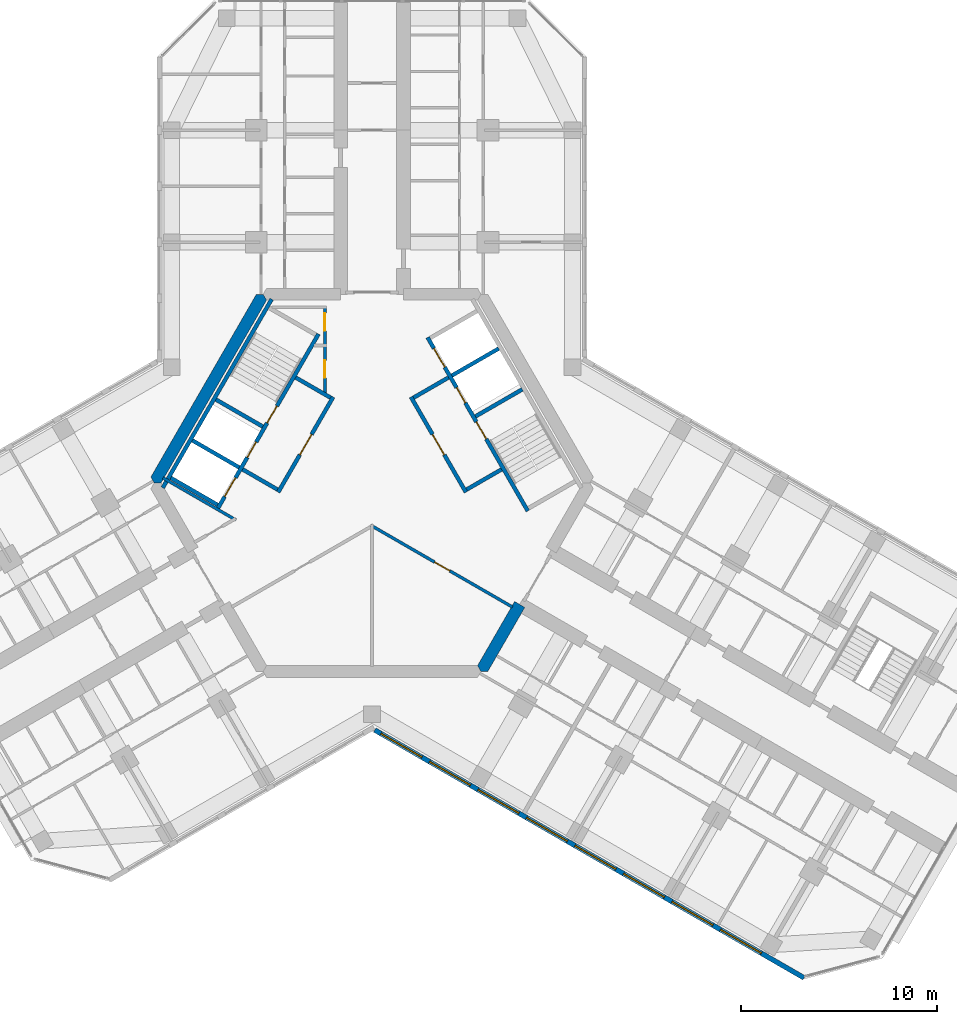
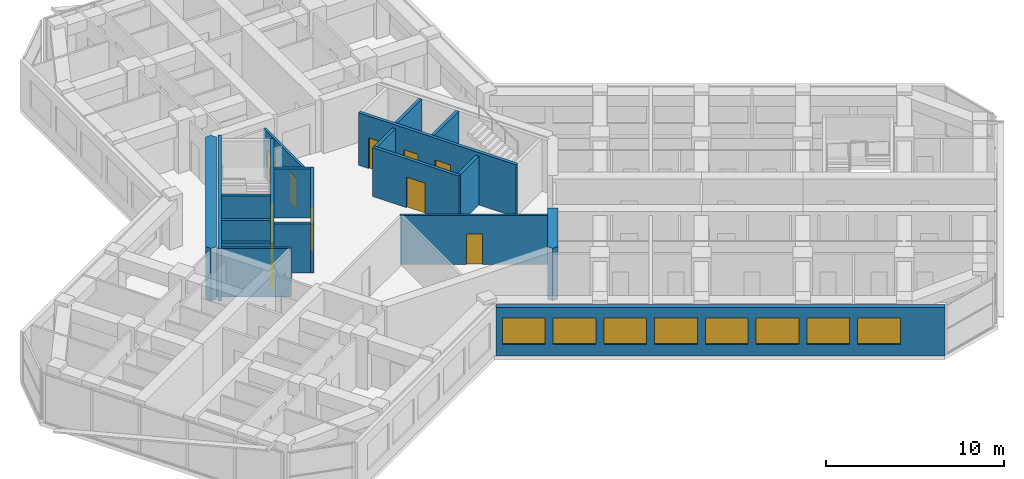
# One storey, part 10 of 16: 20 walls, 11 doors, 8 windows, 19 openings.
"""IFC4 building model written with IfcOpenShell, lengths in metres."""

from ifc_helpers import new_model, si_unit, direction, frame, frame_2d, origin, place, context, subcontext, project, spatial, polyline, rectangle, outline, extrude, material, layer, layer_set, type_object, element, fill, save


model = new_model("IFC4")

# Units and contexts
model_context = context("Model", 3, precision=1e-05, world=origin(), true_north=direction((0.0, 1.0)))
body_context = subcontext(model_context, "Body", "Model", "MODEL_VIEW")
ifc_project = project(units=[si_unit("LENGTHUNIT", "METRE"), si_unit("AREAUNIT", "SQUARE_METRE"), si_unit("VOLUMEUNIT", "CUBIC_METRE"), si_unit("PLANEANGLEUNIT", "RADIAN"), si_unit("MASSUNIT", "GRAM", prefix="KILO")], contexts=[model_context])

# Site, building, storey
site_placement = place(None, origin())
site = spatial("IfcSite", under=ifc_project, at=site_placement, CompositionType="ELEMENT")
building_placement = place(site_placement, origin())
building = spatial("IfcBuilding", under=site, at=building_placement, Name="Kosmar Iwan School Tower", CompositionType="ELEMENT")
storey_placement = place(building_placement, frame((0.0, 0.0, 246.0)))
storey = spatial("IfcBuildingStorey", under=building, at=storey_placement, Name="L62", CompositionType="ELEMENT", Elevation=246.0)

# Wall, openings, doors
ifc_material_1 = material(Name="Gypsum board on steel studs, fire-rated", Category="steel")
ifc_layer_1 = layer(ifc_material_1, 0.14990234375)
ifc_layer_set_1 = layer_set([ifc_layer_1], Name="Core room partition 150")
wall_type_1 = type_object("IfcWallType", Name="Core room partition 150", PredefinedType="PARTITIONING", material=ifc_layer_set_1)
wall_1_placement = place(storey_placement, frame((-2.39990234375, 9.014892578125, 0.0), z_axis=(0.0, 0.0, 1.0), x_axis=(0.0, -1.0, 0.0)))
wall_1 = element("IfcWall", 1, at=wall_1_placement, inside=storey, type_object=wall_type_1, Name="Core room partition L62-CW1", PredefinedType="PARTITIONING", context=body_context, shape_type="SweptSolid", body=[
    extrude(rectangle(XDim=4.484130859375, YDim=0.14990234375, at=frame_2d((2.2421875, 0.0))), origin(), (0.0, 0.0, 1.0), 3.35009765625),
])
opening_1_placement = place(wall_1_placement, frame((0.375, 0.0, 0.0)))
opening_1 = element("IfcOpeningElement", 2, at=opening_1_placement, cuts=wall_1, Name="Opening D14", PredefinedType="OPENING", context=body_context, shape_type="SweptSolid", body=[
    extrude(rectangle(XDim=0.89990234375, YDim=2.10009765625, at=frame_2d((0.449951171875, 1.050048828125))), frame((0.0, 0.0869140625, 0.0), z_axis=(0.0, -1.0, 0.0), x_axis=(1.0, 0.0, 0.0)), (0.0, 0.0, 1.0), 0.173828125),
])
opening_2_placement = place(wall_1_placement, frame((2.77490234375, 0.0, 0.0)))
opening_2 = element("IfcOpeningElement", 3, at=opening_2_placement, cuts=wall_1, Name="Opening D14", PredefinedType="OPENING", context=body_context, shape_type="SweptSolid", body=[
    extrude(rectangle(XDim=0.89990234375, YDim=2.10009765625, at=frame_2d((0.449951171875, 1.050048828125))), frame((0.0, 0.0869140625, 0.0), z_axis=(0.0, -1.0, 0.0), x_axis=(1.0, 0.0, 0.0)), (0.0, 0.0, 1.0), 0.173828125),
])
ifc_material_2 = material(Name="Timber fire door in steel frame", Category="steel")
door_type_1 = type_object("IfcDoorType", Name="Core room door 900x2100", OperationType="SINGLE_SWING_LEFT", PredefinedType="DOOR", material=ifc_material_2)
door_1_placement = place(opening_1_placement, origin())
door_1 = element("IfcDoor", 4, at=door_1_placement, inside=storey, type_object=door_type_1, Name="Electrical riser and switch room door L62 1", OperationType="SINGLE_SWING_LEFT", OverallHeight=2.10009765625, OverallWidth=0.89990234375, PredefinedType="DOOR", context=body_context, shape_type="SweptSolid", body=[
    extrude(rectangle(XDim=0.89990234375, YDim=2.10009765625, at=frame_2d((0.449951171875, 1.050048828125))), frame((0.0, 0.02490234375, 0.0), z_axis=(0.0, -1.0, 0.0), x_axis=(1.0, 0.0, 0.0)), (0.0, 0.0, 1.0), 0.050048828125),
])
fill(opening_1, door_1)
door_2_placement = place(opening_2_placement, origin())
door_2 = element("IfcDoor", 5, at=door_2_placement, inside=storey, type_object=door_type_1, Name="Plumbing and wet riser door L62 2", OperationType="SINGLE_SWING_RIGHT", OverallHeight=2.10009765625, OverallWidth=0.89990234375, PredefinedType="DOOR", context=body_context, shape_type="SweptSolid", body=[
    extrude(rectangle(XDim=0.89990234375, YDim=2.10009765625, at=frame_2d((0.449951171875, 1.050048828125))), frame((0.0, 0.02490234375, 0.0), z_axis=(0.0, -1.0, 0.0), x_axis=(1.0, 0.0, 0.0)), (0.0, 0.0, 1.0), 0.050048828125),
])
fill(opening_2, door_2)

# Wall, opening, door
wall_2_placement = place(storey_placement, frame((-0.06494140625, -2.156494140625, 0.0), z_axis=(0.0, 0.0, 1.0), x_axis=(0.866034159509, -0.499984834333, 0.0)))
wall_2 = element("IfcWall", 6, at=wall_2_placement, inside=storey, type_object=wall_type_1, Name="Core room partition L62-CW6", PredefinedType="PARTITIONING", context=body_context, shape_type="SweptSolid", body=[
    extrude(rectangle(XDim=8.322998046875, YDim=0.14990234375, at=frame_2d((4.16162109375, 0.0))), origin(), (0.0, 0.0, 1.0), 3.35009765625),
])
opening_3_placement = place(wall_2_placement, frame((3.7470703125, 0.0, 0.0)))
opening_3 = element("IfcOpeningElement", 7, at=opening_3_placement, cuts=wall_2, Name="Opening D14", PredefinedType="OPENING", context=body_context, shape_type="SweptSolid", body=[
    extrude(rectangle(XDim=0.89990234375, YDim=2.10009765625, at=frame_2d((0.449951171875, 1.050048828125))), frame((0.0, 0.0869140625, 0.0), z_axis=(0.0, -1.0, 0.0), x_axis=(1.0, 0.0, 0.0)), (0.0, 0.0, 1.0), 0.173828125),
])
door_3_placement = place(opening_3_placement, origin())
door_3 = element("IfcDoor", 8, at=door_3_placement, inside=storey, type_object=door_type_1, Name="Refuse and recycling room door L62 3", OperationType="SINGLE_SWING_RIGHT", OverallHeight=2.10009765625, OverallWidth=0.89990234375, PredefinedType="DOOR", context=body_context, shape_type="SweptSolid", body=[
    extrude(rectangle(XDim=0.89990234375, YDim=2.10009765625, at=frame_2d((0.449951171875, 1.050048828125))), frame((0.0, 0.02490234375, 0.0), z_axis=(0.0, -1.0, 0.0), x_axis=(1.0, 0.0, 0.0)), (0.0, 0.0, 1.0), 0.050048828125),
])
fill(opening_3, door_3)

# Walls
wall_3_placement = place(storey_placement, frame((-10.64306640625, 0.255859375, 0.0), z_axis=(0.0, 0.0, 1.0), x_axis=(0.866020364144, -0.500008728811, 0.0)))
element("IfcWall", 9, at=wall_3_placement, inside=storey, type_object=wall_type_1, Name="Core room partition L62-CW8", PredefinedType="PARTITIONING", context=body_context, shape_type="SweptSolid", body=[
    extrude(rectangle(XDim=4.28173828125, YDim=0.14990234375, at=frame_2d((2.140869140625, 0.0))), origin(), (0.0, 0.0, 1.0), 3.35009765625),
])
ifc_material_3 = material(Name="Concrete C50/60", Category="concrete")
ifc_layer_2 = layer(ifc_material_3, 0.60009765625)
ifc_layer_set_2 = layer_set([ifc_layer_2], Name="Core wall 600")
wall_type_2 = type_object("IfcWallType", Name="Core wall 600", PredefinedType="SHEAR", material=ifc_layer_set_2)
wall_4_placement = place(storey_placement, origin())
element("IfcWall", 10, at=wall_4_placement, inside=storey, type_object=wall_type_2, Name="Core wall F150", PredefinedType="SHEAR", context=body_context, shape_type="SweptSolid", body=[
    extrude(outline(polyline([(-11.085205078125, 0.0), (-10.73876953125, 0.0), (-5.369384765625, 9.300048828125), (-5.54248046875, 9.60009765625), (-5.888916015625, 9.60009765625), (-11.25830078125, 0.300048828125), (-11.085205078125, 0.0)])), origin(), (0.0, 0.0, 1.0), 3.60009765625),
])
wall_5_placement = place(storey_placement, origin())
element("IfcWall", 11, at=wall_5_placement, inside=storey, type_object=wall_type_2, Name="Core wall F330a", PredefinedType="SHEAR", context=body_context, shape_type="SweptSolid", body=[
    extrude(outline(polyline([(5.54248046875, -9.60009765625), (5.888916015625, -9.60009765625), (7.773681640625, -6.335693359375), (7.254150390625, -6.03564453125), (5.369384765625, -9.300048828125), (5.54248046875, -9.60009765625)])), origin(), (0.0, 0.0, 1.0), 3.60009765625),
])

# Wall, openings, windows
ifc_material_4 = material(Name="Black aluminium rainscreen on insulated framing", Category="aluminium")
ifc_layer_3 = layer(ifc_material_4, 0.25)
ifc_layer_set_3 = layer_set([ifc_layer_3], Name="External wall rainscreen 250")
wall_type_3 = type_object("IfcWallType", Name="External wall rainscreen 250", PredefinedType="SOLIDWALL", material=ifc_layer_set_3)
wall_6_placement = place(storey_placement, frame((0.137939453125, -12.5791015625, 0.0), z_axis=(0.0, 0.0, 1.0), x_axis=(0.866023775649, -0.500002820003, 0.0)))
wall_6 = element("IfcWall", 12, at=wall_6_placement, inside=storey, type_object=wall_type_3, Name="External wall CR L62", PredefinedType="SOLIDWALL", context=body_context, shape_type="SweptSolid", body=[
    extrude(rectangle(XDim=25.226318359375, YDim=0.25, at=frame_2d((12.61328125, 0.0))), origin(), (0.0, 0.0, 1.0), 3.35009765625),
])
opening_4_placement = place(wall_6_placement, frame((0.365966796875, 0.0, 0.800048828125)))
opening_4 = element("IfcOpeningElement", 13, at=opening_4_placement, cuts=wall_6, Name="Opening W5", PredefinedType="OPENING", context=body_context, shape_type="SweptSolid", body=[
    extrude(rectangle(XDim=2.39990234375, YDim=1.800048828125, at=frame_2d((1.199951171875, 0.89990234375))), frame((0.0, 0.136962890625, 0.0), z_axis=(0.0, -1.0, 0.0), x_axis=(1.0, 0.0, 0.0)), (0.0, 0.0, 1.0), 0.27392578125),
])
opening_5_placement = place(wall_6_placement, frame((3.216064453125, 0.0, 0.800048828125)))
opening_5 = element("IfcOpeningElement", 14, at=opening_5_placement, cuts=wall_6, Name="Opening W5", PredefinedType="OPENING", context=body_context, shape_type="SweptSolid", body=[
    extrude(rectangle(XDim=2.39990234375, YDim=1.800048828125, at=frame_2d((1.199951171875, 0.89990234375))), frame((0.0, 0.136962890625, 0.0), z_axis=(0.0, -1.0, 0.0), x_axis=(1.0, 0.0, 0.0)), (0.0, 0.0, 1.0), 0.27392578125),
])
opening_6_placement = place(wall_6_placement, frame((6.06591796875, 0.0, 0.800048828125)))
opening_6 = element("IfcOpeningElement", 15, at=opening_6_placement, cuts=wall_6, Name="Opening W5", PredefinedType="OPENING", context=body_context, shape_type="SweptSolid", body=[
    extrude(rectangle(XDim=2.39990234375, YDim=1.800048828125, at=frame_2d((1.199951171875, 0.89990234375))), frame((0.0, 0.136962890625, 0.0), z_axis=(0.0, -1.0, 0.0), x_axis=(1.0, 0.0, 0.0)), (0.0, 0.0, 1.0), 0.27392578125),
])
opening_7_placement = place(wall_6_placement, frame((8.916015625, 0.0, 0.800048828125)))
opening_7 = element("IfcOpeningElement", 16, at=opening_7_placement, cuts=wall_6, Name="Opening W5", PredefinedType="OPENING", context=body_context, shape_type="SweptSolid", body=[
    extrude(rectangle(XDim=2.39990234375, YDim=1.800048828125, at=frame_2d((1.199951171875, 0.89990234375))), frame((0.0, 0.136962890625, 0.0), z_axis=(0.0, -1.0, 0.0), x_axis=(1.0, 0.0, 0.0)), (0.0, 0.0, 1.0), 0.27392578125),
])
opening_8_placement = place(wall_6_placement, frame((11.76611328125, 0.0, 0.800048828125)))
opening_8 = element("IfcOpeningElement", 17, at=opening_8_placement, cuts=wall_6, Name="Opening W5", PredefinedType="OPENING", context=body_context, shape_type="SweptSolid", body=[
    extrude(rectangle(XDim=2.39990234375, YDim=1.800048828125, at=frame_2d((1.199951171875, 0.89990234375))), frame((0.0, 0.136962890625, 0.0), z_axis=(0.0, -1.0, 0.0), x_axis=(1.0, 0.0, 0.0)), (0.0, 0.0, 1.0), 0.27392578125),
])
opening_9_placement = place(wall_6_placement, frame((14.615966796875, 0.0, 0.800048828125)))
opening_9 = element("IfcOpeningElement", 18, at=opening_9_placement, cuts=wall_6, Name="Opening W5", PredefinedType="OPENING", context=body_context, shape_type="SweptSolid", body=[
    extrude(rectangle(XDim=2.39990234375, YDim=1.800048828125, at=frame_2d((1.199951171875, 0.89990234375))), frame((0.0, 0.136962890625, 0.0), z_axis=(0.0, -1.0, 0.0), x_axis=(1.0, 0.0, 0.0)), (0.0, 0.0, 1.0), 0.27392578125),
])
opening_10_placement = place(wall_6_placement, frame((17.466064453125, 0.0, 0.800048828125)))
opening_10 = element("IfcOpeningElement", 19, at=opening_10_placement, cuts=wall_6, Name="Opening W5", PredefinedType="OPENING", context=body_context, shape_type="SweptSolid", body=[
    extrude(rectangle(XDim=2.39990234375, YDim=1.800048828125, at=frame_2d((1.199951171875, 0.89990234375))), frame((0.0, 0.136962890625, 0.0), z_axis=(0.0, -1.0, 0.0), x_axis=(1.0, 0.0, 0.0)), (0.0, 0.0, 1.0), 0.27392578125),
])
opening_11_placement = place(wall_6_placement, frame((20.31591796875, 0.0, 0.800048828125)))
opening_11 = element("IfcOpeningElement", 20, at=opening_11_placement, cuts=wall_6, Name="Opening W5", PredefinedType="OPENING", context=body_context, shape_type="SweptSolid", body=[
    extrude(rectangle(XDim=2.39990234375, YDim=1.800048828125, at=frame_2d((1.199951171875, 0.89990234375))), frame((0.0, 0.136962890625, 0.0), z_axis=(0.0, -1.0, 0.0), x_axis=(1.0, 0.0, 0.0)), (0.0, 0.0, 1.0), 0.27392578125),
])
ifc_material_5 = material(Name="Black aluminium frame with dark triple glazing", Category="aluminium")
window_type = type_object("IfcWindowType", Name="Window 2400x1800", PartitioningType="SINGLE_PANEL", PredefinedType="WINDOW", material=ifc_material_5)
window_1_placement = place(opening_4_placement, origin())
window_1 = element("IfcWindow", 21, at=window_1_placement, inside=storey, type_object=window_type, Name="Window CR L62 -1", OverallHeight=1.800048828125, OverallWidth=2.39990234375, PartitioningType="SINGLE_PANEL", PredefinedType="WINDOW", context=body_context, shape_type="SweptSolid", body=[
    extrude(rectangle(XDim=2.39990234375, YDim=1.800048828125, at=frame_2d((1.199951171875, 0.89990234375))), frame((0.0, 0.030029296875, 0.0), z_axis=(0.0, -1.0, 0.0), x_axis=(1.0, 0.0, 0.0)), (0.0, 0.0, 1.0), 0.06005859375),
])
fill(opening_4, window_1)
window_2_placement = place(opening_5_placement, origin())
window_2 = element("IfcWindow", 22, at=window_2_placement, inside=storey, type_object=window_type, Name="Window CR L62 0", OverallHeight=1.800048828125, OverallWidth=2.39990234375, PartitioningType="SINGLE_PANEL", PredefinedType="WINDOW", context=body_context, shape_type="SweptSolid", body=[
    extrude(rectangle(XDim=2.39990234375, YDim=1.800048828125, at=frame_2d((1.199951171875, 0.89990234375))), frame((0.0, 0.030029296875, 0.0), z_axis=(0.0, -1.0, 0.0), x_axis=(1.0, 0.0, 0.0)), (0.0, 0.0, 1.0), 0.06005859375),
])
fill(opening_5, window_2)
window_3_placement = place(opening_6_placement, origin())
window_3 = element("IfcWindow", 23, at=window_3_placement, inside=storey, type_object=window_type, Name="Window CR L62 1", OverallHeight=1.800048828125, OverallWidth=2.39990234375, PartitioningType="SINGLE_PANEL", PredefinedType="WINDOW", context=body_context, shape_type="SweptSolid", body=[
    extrude(rectangle(XDim=2.39990234375, YDim=1.800048828125, at=frame_2d((1.199951171875, 0.89990234375))), frame((0.0, 0.030029296875, 0.0), z_axis=(0.0, -1.0, 0.0), x_axis=(1.0, 0.0, 0.0)), (0.0, 0.0, 1.0), 0.06005859375),
])
fill(opening_6, window_3)
window_4_placement = place(opening_7_placement, origin())
window_4 = element("IfcWindow", 24, at=window_4_placement, inside=storey, type_object=window_type, Name="Window CR L62 2", OverallHeight=1.800048828125, OverallWidth=2.39990234375, PartitioningType="SINGLE_PANEL", PredefinedType="WINDOW", context=body_context, shape_type="SweptSolid", body=[
    extrude(rectangle(XDim=2.39990234375, YDim=1.800048828125, at=frame_2d((1.199951171875, 0.89990234375))), frame((0.0, 0.030029296875, 0.0), z_axis=(0.0, -1.0, 0.0), x_axis=(1.0, 0.0, 0.0)), (0.0, 0.0, 1.0), 0.06005859375),
])
fill(opening_7, window_4)
window_5_placement = place(opening_8_placement, origin())
window_5 = element("IfcWindow", 25, at=window_5_placement, inside=storey, type_object=window_type, Name="Window CR L62 3", OverallHeight=1.800048828125, OverallWidth=2.39990234375, PartitioningType="SINGLE_PANEL", PredefinedType="WINDOW", context=body_context, shape_type="SweptSolid", body=[
    extrude(rectangle(XDim=2.39990234375, YDim=1.800048828125, at=frame_2d((1.199951171875, 0.89990234375))), frame((0.0, 0.030029296875, 0.0), z_axis=(0.0, -1.0, 0.0), x_axis=(1.0, 0.0, 0.0)), (0.0, 0.0, 1.0), 0.06005859375),
])
fill(opening_8, window_5)
window_6_placement = place(opening_9_placement, origin())
window_6 = element("IfcWindow", 26, at=window_6_placement, inside=storey, type_object=window_type, Name="Window CR L62 4", OverallHeight=1.800048828125, OverallWidth=2.39990234375, PartitioningType="SINGLE_PANEL", PredefinedType="WINDOW", context=body_context, shape_type="SweptSolid", body=[
    extrude(rectangle(XDim=2.39990234375, YDim=1.800048828125, at=frame_2d((1.199951171875, 0.89990234375))), frame((0.0, 0.030029296875, 0.0), z_axis=(0.0, -1.0, 0.0), x_axis=(1.0, 0.0, 0.0)), (0.0, 0.0, 1.0), 0.06005859375),
])
fill(opening_9, window_6)
window_7_placement = place(opening_10_placement, origin())
window_7 = element("IfcWindow", 27, at=window_7_placement, inside=storey, type_object=window_type, Name="Window CR L62 5", OverallHeight=1.800048828125, OverallWidth=2.39990234375, PartitioningType="SINGLE_PANEL", PredefinedType="WINDOW", context=body_context, shape_type="SweptSolid", body=[
    extrude(rectangle(XDim=2.39990234375, YDim=1.800048828125, at=frame_2d((1.199951171875, 0.89990234375))), frame((0.0, 0.030029296875, 0.0), z_axis=(0.0, -1.0, 0.0), x_axis=(1.0, 0.0, 0.0)), (0.0, 0.0, 1.0), 0.06005859375),
])
fill(opening_10, window_7)
window_8_placement = place(opening_11_placement, origin())
window_8 = element("IfcWindow", 28, at=window_8_placement, inside=storey, type_object=window_type, Name="Window CR L62 6", OverallHeight=1.800048828125, OverallWidth=2.39990234375, PartitioningType="SINGLE_PANEL", PredefinedType="WINDOW", context=body_context, shape_type="SweptSolid", body=[
    extrude(rectangle(XDim=2.39990234375, YDim=1.800048828125, at=frame_2d((1.199951171875, 0.89990234375))), frame((0.0, 0.030029296875, 0.0), z_axis=(0.0, -1.0, 0.0), x_axis=(1.0, 0.0, 0.0)), (0.0, 0.0, 1.0), 0.06005859375),
])
fill(opening_11, window_8)

# Wall, opening, door
ifc_material_6 = material(Name="Concrete block masonry", Category="masonry")
ifc_layer_4 = layer(ifc_material_6, 0.199951171875)
ifc_layer_set_4 = layer_set([ifc_layer_4], Name="Fire lobby wall 200")
wall_type_4 = type_object("IfcWallType", Name="Fire lobby wall 200", PredefinedType="PARTITIONING", material=ifc_layer_set_4)
wall_7_placement = place(storey_placement, frame((-1.9775390625, 4.374755859375, 0.0), z_axis=(0.0, 0.0, 1.0), x_axis=(-0.500016814911, -0.866015695474, 0.0)))
wall_7 = element("IfcWall", 29, at=wall_7_placement, inside=storey, type_object=wall_type_4, Name="Firefighting lobby wall ST2", PredefinedType="PARTITIONING", context=body_context, shape_type="SweptSolid", body=[
    extrude(rectangle(XDim=5.599853515625, YDim=0.199951171875, at=frame_2d((2.7998046875, 0.0))), origin(), (0.0, 0.0, 1.0), 3.35009765625),
])
opening_12_placement = place(wall_7_placement, frame((2.199951171875, 0.0, 0.0)))
opening_12 = element("IfcOpeningElement", 30, at=opening_12_placement, cuts=wall_7, Name="Opening D7", PredefinedType="OPENING", context=body_context, shape_type="SweptSolid", body=[
    extrude(rectangle(XDim=1.199951171875, YDim=2.10009765625, at=frame_2d((0.60009765625, 1.050048828125))), frame((0.0, 0.112060546875, 0.0), z_axis=(0.0, -1.0, 0.0), x_axis=(1.0, 0.0, 0.0)), (0.0, 0.0, 1.0), 0.223876953125),
])
ifc_material_7 = material(Name="Steel fire door", Category="steel")
door_type_2 = type_object("IfcDoorType", Name="Fire lobby door 1200x2100", OperationType="SINGLE_SWING_LEFT", PredefinedType="DOOR", material=ifc_material_7)
door_4_placement = place(opening_12_placement, origin())
door_4 = element("IfcDoor", 31, at=door_4_placement, inside=storey, type_object=door_type_2, Name="Firefighting lobby door ST2 L62", OperationType="SINGLE_SWING_RIGHT", OverallHeight=2.10009765625, OverallWidth=1.199951171875, PredefinedType="DOOR", context=body_context, shape_type="SweptSolid", body=[
    extrude(rectangle(XDim=1.199951171875, YDim=2.10009765625, at=frame_2d((0.60009765625, 1.050048828125))), frame((0.0, 0.02490234375, 0.0), z_axis=(0.0, -1.0, 0.0), x_axis=(1.0, 0.0, 0.0)), (0.0, 0.0, 1.0), 0.050048828125),
])
fill(opening_12, door_4)

# Walls
wall_8_placement = place(storey_placement, frame((-2.114013671875, 4.33837890625, 0.0), z_axis=(0.0, 0.0, 1.0), x_axis=(-0.866050731258, 0.499956128963, 0.0)))
element("IfcWall", 32, at=wall_8_placement, inside=storey, type_object=wall_type_4, Name="Firefighting lobby wall ST2", PredefinedType="PARTITIONING", context=body_context, shape_type="SweptSolid", body=[
    extrude(rectangle(XDim=2.050048828125, YDim=0.199951171875, at=frame_2d((1.02490234375, 0.0))), origin(), (0.0, 0.0, 1.0), 3.35009765625),
])
wall_9_placement = place(storey_placement, frame((-4.814208984375, -0.33837890625, 0.0), z_axis=(0.0, 0.0, 1.0), x_axis=(-0.865969381856, 0.500097020274, 0.0)))
element("IfcWall", 33, at=wall_9_placement, inside=storey, type_object=wall_type_4, Name="Firefighting lobby wall ST2", PredefinedType="PARTITIONING", context=body_context, shape_type="SweptSolid", body=[
    extrude(rectangle(XDim=2.0498046875, YDim=0.199951171875, at=frame_2d((1.02490234375, 0.0))), origin(), (0.0, 0.0, 1.0), 3.35009765625),
])

# Wall, opening, door
wall_10_placement = place(storey_placement, frame((4.777587890625, -0.474853515625, 0.0), z_axis=(0.0, 0.0, 1.0), x_axis=(-0.500016814911, 0.866015695474, 0.0)))
wall_10 = element("IfcWall", 34, at=wall_10_placement, inside=storey, type_object=wall_type_4, Name="Firefighting lobby wall ST1", PredefinedType="PARTITIONING", context=body_context, shape_type="SweptSolid", body=[
    extrude(rectangle(XDim=5.599853515625, YDim=0.199951171875, at=frame_2d((2.7998046875, 0.0))), origin(), (0.0, 0.0, 1.0), 3.35009765625),
])
opening_13_placement = place(wall_10_placement, frame((2.199951171875, 0.0, 0.0)))
opening_13 = element("IfcOpeningElement", 35, at=opening_13_placement, cuts=wall_10, Name="Opening D7", PredefinedType="OPENING", context=body_context, shape_type="SweptSolid", body=[
    extrude(rectangle(XDim=1.199951171875, YDim=2.10009765625, at=frame_2d((0.60009765625, 1.050048828125))), frame((0.0, 0.112060546875, 0.0), z_axis=(0.0, -1.0, 0.0), x_axis=(1.0, 0.0, 0.0)), (0.0, 0.0, 1.0), 0.223876953125),
])
door_5_placement = place(opening_13_placement, origin())
door_5 = element("IfcDoor", 36, at=door_5_placement, inside=storey, type_object=door_type_2, Name="Firefighting lobby door ST1 L62", OperationType="SINGLE_SWING_RIGHT", OverallHeight=2.10009765625, OverallWidth=1.199951171875, PredefinedType="DOOR", context=body_context, shape_type="SweptSolid", body=[
    extrude(rectangle(XDim=1.199951171875, YDim=2.10009765625, at=frame_2d((0.60009765625, 1.050048828125))), frame((0.0, 0.02490234375, 0.0), z_axis=(0.0, -1.0, 0.0), x_axis=(1.0, 0.0, 0.0)), (0.0, 0.0, 1.0), 0.050048828125),
])
fill(opening_13, door_5)

# Walls
wall_11_placement = place(storey_placement, frame((4.814208984375, -0.33837890625, 0.0), z_axis=(0.0, 0.0, 1.0), x_axis=(0.865969381856, 0.500097020274, 0.0)))
element("IfcWall", 37, at=wall_11_placement, inside=storey, type_object=wall_type_4, Name="Firefighting lobby wall ST1", PredefinedType="PARTITIONING", context=body_context, shape_type="SweptSolid", body=[
    extrude(rectangle(XDim=2.0498046875, YDim=0.199951171875, at=frame_2d((1.02490234375, 0.0))), origin(), (0.0, 0.0, 1.0), 3.35009765625),
])
wall_12_placement = place(storey_placement, frame((2.114013671875, 4.33837890625, 0.0), z_axis=(0.0, 0.0, 1.0), x_axis=(0.866050731258, 0.499956128963, 0.0)))
element("IfcWall", 38, at=wall_12_placement, inside=storey, type_object=wall_type_4, Name="Firefighting lobby wall ST1", PredefinedType="PARTITIONING", context=body_context, shape_type="SweptSolid", body=[
    extrude(rectangle(XDim=2.050048828125, YDim=0.199951171875, at=frame_2d((1.02490234375, 0.0))), origin(), (0.0, 0.0, 1.0), 3.35009765625),
])

# Wall, openings, doors
ifc_material_8 = material(Name="Concrete C50/60", Category="concrete")
ifc_layer_5 = layer(ifc_material_8, 0.199951171875)
ifc_layer_set_5 = layer_set([ifc_layer_5], Name="Lift shaft wall 200")
wall_type_5 = type_object("IfcWallType", Name="Lift shaft wall 200", PredefinedType="SHEAR", material=ifc_layer_set_5)
wall_13_placement = place(storey_placement, frame((-2.72607421875, 7.578369140625, 0.0), z_axis=(0.0, 0.0, 1.0), x_axis=(-0.499998717582, -0.866026144187, 0.0)))
wall_13 = element("IfcWall", 39, at=wall_13_placement, inside=storey, type_object=wall_type_5, Name="Lift and stair front wall AB", PredefinedType="SHEAR", context=body_context, shape_type="SweptSolid", body=[
    extrude(rectangle(XDim=10.22509765625, YDim=0.199951171875, at=frame_2d((5.112548828125, 0.0))), origin(), (0.0, 0.0, 1.0), 3.60009765625),
])
opening_14_placement = place(wall_13_placement, frame((6.35009765625, 0.0, 0.0)))
opening_14 = element("IfcOpeningElement", 40, at=opening_14_placement, cuts=wall_13, Name="Opening LD2", PredefinedType="OPENING", context=body_context, shape_type="SweptSolid", body=[
    extrude(rectangle(XDim=0.89990234375, YDim=2.10009765625, at=frame_2d((0.449951171875, 1.050048828125))), frame((0.0, 0.112060546875, 0.0), z_axis=(0.0, -1.0, 0.0), x_axis=(1.0, 0.0, 0.0)), (0.0, 0.0, 1.0), 0.223876953125),
])
opening_15_placement = place(wall_13_placement, frame((8.449951171875, 0.0, 0.0)))
opening_15 = element("IfcOpeningElement", 41, at=opening_15_placement, cuts=wall_13, Name="Opening LD1", PredefinedType="OPENING", context=body_context, shape_type="SweptSolid", body=[
    extrude(rectangle(XDim=1.10009765625, YDim=2.10009765625, at=frame_2d((0.550048828125, 1.050048828125))), frame((0.0, 0.112060546875, 0.0), z_axis=(0.0, -1.0, 0.0), x_axis=(1.0, 0.0, 0.0)), (0.0, 0.0, 1.0), 0.223876953125),
])
opening_16_placement = place(wall_13_placement, frame((4.22998046875, 0.0, 0.0)))
opening_16 = element("IfcOpeningElement", 42, at=opening_16_placement, cuts=wall_13, Name="Opening D6", PredefinedType="OPENING", context=body_context, shape_type="SweptSolid", body=[
    extrude(rectangle(XDim=1.0, YDim=2.10009765625, at=frame_2d((0.5, 1.050048828125))), frame((0.0, 0.112060546875, 0.0), z_axis=(0.0, -1.0, 0.0), x_axis=(1.0, 0.0, 0.0)), (0.0, 0.0, 1.0), 0.223876953125),
])
ifc_material_9 = material(Name="Stainless steel sliding lift door", Category="steel")
door_type_3 = type_object("IfcDoorType", Name="Firefighting lift landing door 900x2100", OperationType="SLIDING_TO_LEFT", PredefinedType="DOOR", material=ifc_material_9)
door_6_placement = place(opening_14_placement, origin())
door_6 = element("IfcDoor", 43, at=door_6_placement, inside=storey, type_object=door_type_3, Name="Lift FF2 landing door L62", OperationType="SLIDING_TO_LEFT", OverallHeight=2.10009765625, OverallWidth=0.89990234375, PredefinedType="DOOR", context=body_context, shape_type="SweptSolid", body=[
    extrude(rectangle(XDim=0.89990234375, YDim=2.10009765625, at=frame_2d((0.449951171875, 1.050048828125))), frame((0.0, 0.02490234375, 0.0), z_axis=(0.0, -1.0, 0.0), x_axis=(1.0, 0.0, 0.0)), (0.0, 0.0, 1.0), 0.050048828125),
])
fill(opening_14, door_6)
ifc_material_10 = material(Name="Stainless steel sliding lift door", Category="steel")
door_type_4 = type_object("IfcDoorType", Name="Lift landing door 1100x2100", OperationType="SLIDING_TO_LEFT", PredefinedType="DOOR", material=ifc_material_10)
door_7_placement = place(opening_15_placement, origin())
door_7 = element("IfcDoor", 44, at=door_7_placement, inside=storey, type_object=door_type_4, Name="Lift PL6 landing door L62", OperationType="SLIDING_TO_LEFT", OverallHeight=2.10009765625, OverallWidth=1.10009765625, PredefinedType="DOOR", context=body_context, shape_type="SweptSolid", body=[
    extrude(rectangle(XDim=1.10009765625, YDim=2.10009765625, at=frame_2d((0.550048828125, 1.050048828125))), frame((0.0, 0.02490234375, 0.0), z_axis=(0.0, -1.0, 0.0), x_axis=(1.0, 0.0, 0.0)), (0.0, 0.0, 1.0), 0.050048828125),
])
fill(opening_15, door_7)
ifc_material_11 = material(Name="Steel fire door", Category="steel")
door_type_5 = type_object("IfcDoorType", Name="Stair door 1000x2100", OperationType="SINGLE_SWING_LEFT", PredefinedType="DOOR", material=ifc_material_11)
door_8_placement = place(opening_16_placement, origin())
door_8 = element("IfcDoor", 45, at=door_8_placement, inside=storey, type_object=door_type_5, Name="Stair ST2 door L62", OperationType="SINGLE_SWING_LEFT", OverallHeight=2.10009765625, OverallWidth=1.0, PredefinedType="DOOR", context=body_context, shape_type="SweptSolid", body=[
    extrude(rectangle(XDim=1.0, YDim=2.10009765625, at=frame_2d((0.5, 1.050048828125))), frame((0.0, 0.02490234375, 0.0), z_axis=(0.0, -1.0, 0.0), x_axis=(1.0, 0.0, 0.0)), (0.0, 0.0, 1.0), 0.050048828125),
])
fill(opening_16, door_8)

# Walls
wall_14_placement = place(storey_placement, frame((-5.109619140625, 9.35009765625, 0.0), z_axis=(0.0, 0.0, 1.0), x_axis=(-0.499990629522, -0.866030813765, 0.0)))
element("IfcWall", 46, at=wall_14_placement, inside=storey, type_object=wall_type_5, Name="Lift and stair back wall AB", PredefinedType="SHEAR", context=body_context, shape_type="SweptSolid", body=[
    extrude(rectangle(XDim=11.085205078125, YDim=0.199951171875, at=frame_2d((5.54248046875, 0.0))), origin(), (0.0, 0.0, 1.0), 3.60009765625),
])
for number, where, z_axis, x_axis, name in (
    (47, (-6.7626953125, 0.78662109375, 0.0), (0.0, 0.0, 1.0), (-0.866027397988, 0.499996545922, 0.0), "Lift shaft wall AB 1"),
    (48, (-7.862548828125, -1.118408203125, 0.0), (0.0, 0.0, 1.0), (-0.866027397988, 0.499996545922, 0.0), "Lift shaft wall AB 2"),
):
    element("IfcWall", number, at=place(storey_placement, frame(where, z_axis=z_axis, x_axis=x_axis)), inside=storey, type_object=wall_type_5, Name=name, PredefinedType="SHEAR", context=body_context, shape_type="SweptSolid", body=[
        extrude(rectangle(XDim=2.75, YDim=0.199951171875, at=frame_2d((1.375, 0.0))), origin(), (0.0, 0.0, 1.0), 3.60009765625),
    ])

# Wall, openings, doors
wall_15_placement = place(storey_placement, frame((7.926025390625, -1.42822265625, 0.0), z_axis=(0.0, 0.0, 1.0), x_axis=(-0.499998023675, 0.866026544813, 0.0)))
wall_15 = element("IfcWall", 49, at=wall_15_placement, inside=storey, type_object=wall_type_5, Name="Lift and stair front wall AC", PredefinedType="SHEAR", context=body_context, shape_type="SweptSolid", body=[
    extrude(rectangle(XDim=10.19970703125, YDim=0.199951171875, at=frame_2d((5.099853515625, 0.0))), origin(), (0.0, 0.0, 1.0), 3.60009765625),
])
opening_17_placement = place(wall_15_placement, frame((6.35009765625, 0.0, 0.0)))
opening_17 = element("IfcOpeningElement", 50, at=opening_17_placement, cuts=wall_15, Name="Opening LD2", PredefinedType="OPENING", context=body_context, shape_type="SweptSolid", body=[
    extrude(rectangle(XDim=0.89990234375, YDim=2.10009765625, at=frame_2d((0.449951171875, 1.050048828125))), frame((0.0, 0.112060546875, 0.0), z_axis=(0.0, -1.0, 0.0), x_axis=(1.0, 0.0, 0.0)), (0.0, 0.0, 1.0), 0.223876953125),
])
opening_18_placement = place(wall_15_placement, frame((8.449951171875, 0.0, 0.0)))
opening_18 = element("IfcOpeningElement", 51, at=opening_18_placement, cuts=wall_15, Name="Opening LD1", PredefinedType="OPENING", context=body_context, shape_type="SweptSolid", body=[
    extrude(rectangle(XDim=1.10009765625, YDim=2.10009765625, at=frame_2d((0.550048828125, 1.050048828125))), frame((0.0, 0.112060546875, 0.0), z_axis=(0.0, -1.0, 0.0), x_axis=(1.0, 0.0, 0.0)), (0.0, 0.0, 1.0), 0.223876953125),
])
opening_19_placement = place(wall_15_placement, frame((4.22998046875, 0.0, 0.0)))
opening_19 = element("IfcOpeningElement", 52, at=opening_19_placement, cuts=wall_15, Name="Opening D6", PredefinedType="OPENING", context=body_context, shape_type="SweptSolid", body=[
    extrude(rectangle(XDim=1.0, YDim=2.10009765625, at=frame_2d((0.5, 1.050048828125))), frame((0.0, 0.112060546875, 0.0), z_axis=(0.0, -1.0, 0.0), x_axis=(1.0, 0.0, 0.0)), (0.0, 0.0, 1.0), 0.223876953125),
])
door_9_placement = place(opening_17_placement, origin())
door_9 = element("IfcDoor", 53, at=door_9_placement, inside=storey, type_object=door_type_3, Name="Lift FF1 landing door L62", OperationType="SLIDING_TO_LEFT", OverallHeight=2.10009765625, OverallWidth=0.89990234375, PredefinedType="DOOR", context=body_context, shape_type="SweptSolid", body=[
    extrude(rectangle(XDim=0.89990234375, YDim=2.10009765625, at=frame_2d((0.449951171875, 1.050048828125))), frame((0.0, 0.02490234375, 0.0), z_axis=(0.0, -1.0, 0.0), x_axis=(1.0, 0.0, 0.0)), (0.0, 0.0, 1.0), 0.050048828125),
])
fill(opening_17, door_9)
door_10_placement = place(opening_18_placement, origin())
door_10 = element("IfcDoor", 54, at=door_10_placement, inside=storey, type_object=door_type_4, Name="Lift PL5 landing door L62", OperationType="SLIDING_TO_LEFT", OverallHeight=2.10009765625, OverallWidth=1.10009765625, PredefinedType="DOOR", context=body_context, shape_type="SweptSolid", body=[
    extrude(rectangle(XDim=1.10009765625, YDim=2.10009765625, at=frame_2d((0.550048828125, 1.050048828125))), frame((0.0, 0.02490234375, 0.0), z_axis=(0.0, -1.0, 0.0), x_axis=(1.0, 0.0, 0.0)), (0.0, 0.0, 1.0), 0.050048828125),
])
fill(opening_18, door_10)
door_11_placement = place(opening_19_placement, origin())
door_11 = element("IfcDoor", 55, at=door_11_placement, inside=storey, type_object=door_type_5, Name="Stair ST1 door L62", OperationType="SINGLE_SWING_LEFT", OverallHeight=2.10009765625, OverallWidth=1.0, PredefinedType="DOOR", context=body_context, shape_type="SweptSolid", body=[
    extrude(rectangle(XDim=1.0, YDim=2.10009765625, at=frame_2d((0.5, 1.050048828125))), frame((0.0, 0.02490234375, 0.0), z_axis=(0.0, -1.0, 0.0), x_axis=(1.0, 0.0, 0.0)), (0.0, 0.0, 1.0), 0.050048828125),
])
fill(opening_19, door_11)

# Walls
wall_16_placement = place(storey_placement, frame((4.062744140625, 5.46337890625, 0.0), z_axis=(0.0, 0.0, 1.0), x_axis=(0.866027397988, 0.499996545922, 0.0)))
element("IfcWall", 56, at=wall_16_placement, inside=storey, type_object=wall_type_5, Name="Lift shaft wall AC 1", PredefinedType="SHEAR", context=body_context, shape_type="SweptSolid", body=[
    extrude(rectangle(XDim=2.75, YDim=0.199951171875, at=frame_2d((1.375, 0.0))), origin(), (0.0, 0.0, 1.0), 3.60009765625),
])
ifc_material_12 = material(Name="Concrete C50/60", Category="concrete")
ifc_layer_6 = layer(ifc_material_12, 0.199951171875)
ifc_layer_set_6 = layer_set([ifc_layer_6], Name="Stair enclosure wall 200")
wall_type_6 = type_object("IfcWallType", Name="Stair enclosure wall 200", PredefinedType="SHEAR", material=ifc_layer_set_6)
for number, where, z_axis, x_axis, name in (
    (57, (-5.562744140625, 2.865234375, 0.0), (0.0, 0.0, 1.0), (-0.866027397988, 0.499996545922, 0.0), "Stair ST2 wall"),
    (58, (5.2626953125, 3.384765625, 0.0), (0.0, 0.0, 1.0), (0.866027397988, 0.499996545922, 0.0), "Stair ST1 wall"),
):
    element("IfcWall", number, at=place(storey_placement, frame(where, z_axis=z_axis, x_axis=x_axis)), inside=storey, type_object=wall_type_6, Name=name, PredefinedType="SHEAR", context=body_context, shape_type="SweptSolid", body=[
        extrude(rectangle(XDim=2.75, YDim=0.199951171875, at=frame_2d((1.375, 0.0))), origin(), (0.0, 0.0, 1.0), 3.60009765625),
    ])

save(model, "model.ifc")
